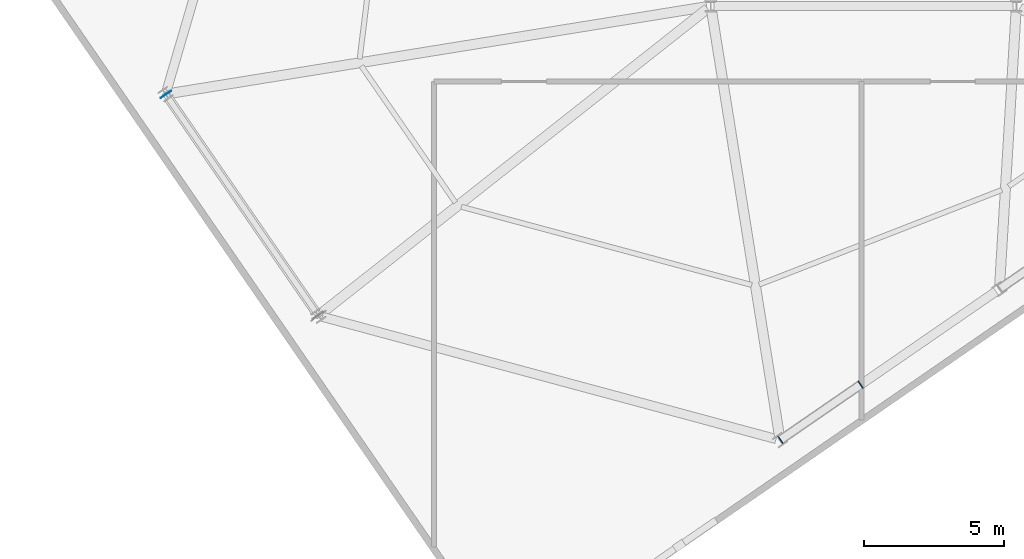
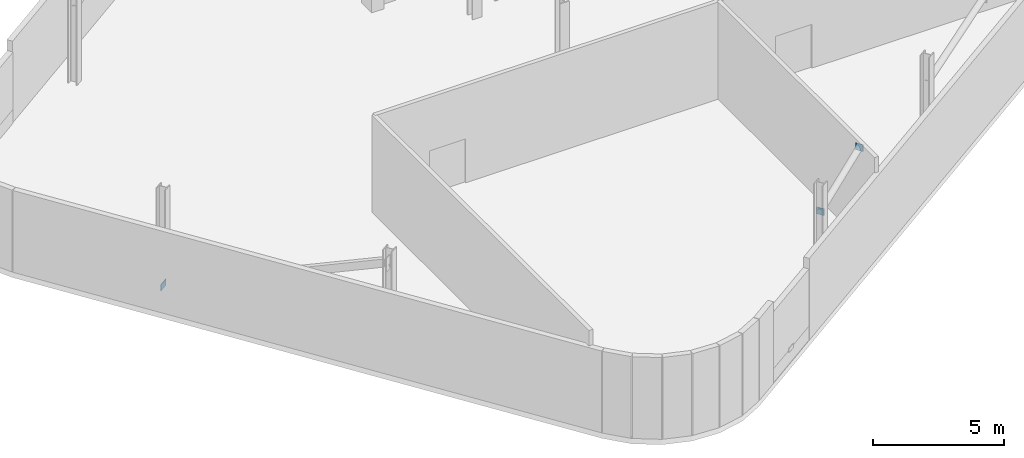
# One storey, part 4 of 10: 3 plates.
"""IFC4 building model written with IfcOpenShell, lengths in metres."""

from ifc_helpers import new_model, si_unit, direction, frame, origin, origin_2d, place, context, subcontext, project, spatial, rectangle, extrude, source, transform, mapped, material, layer, layer_set, type_object, element, save


model = new_model("IFC4")

# Units and contexts
model_context = context("Model", 3, precision=1e-05, world=origin(), true_north=direction((0.0, 1.0)))
body_context = subcontext(model_context, "Body", "Model", "MODEL_VIEW")
ifc_project = project(units=[si_unit("LENGTHUNIT", "METRE"), si_unit("AREAUNIT", "SQUARE_METRE"), si_unit("VOLUMEUNIT", "CUBIC_METRE"), si_unit("PLANEANGLEUNIT", "RADIAN"), si_unit("MASSUNIT", "GRAM", prefix="KILO")], contexts=[model_context])

# Site, building, storey
site_placement = place(None, origin())
site = spatial("IfcSite", under=ifc_project, at=site_placement, CompositionType="ELEMENT")
building_placement = place(site_placement, origin())
building = spatial("IfcBuilding", under=site, at=building_placement, Name="Varnelok Gate Tower", CompositionType="ELEMENT")
storey_placement = place(building_placement, frame((0.0, 0.0, 305.89990234375)))
storey = spatial("IfcBuildingStorey", under=building, at=storey_placement, Name="L78", CompositionType="ELEMENT", Elevation=305.89990234375)

# Plates
ifc_material = material(Name="Structural Steel ASTM A572 Grade 50", Category="steel")
ifc_layer = layer(ifc_material, 0.02490234375)
ifc_layer_set = layer_set([ifc_layer], Name="Structural Steel ASTM A572 Grade 50")
plate_type = type_object("IfcPlateType", Name="PLT-ENDCAP-25", PredefinedType="SHEET", material=ifc_layer_set)
shared_shape_1 = source(origin(), body_context, "Body", "SweptSolid", [
    extrude(rectangle(XDim=0.02490234375, YDim=0.43994140625, at=origin_2d()), origin(), (0.0, 0.0, 1.0), 0.2900390625),
])
plate_placement = place(storey_placement, frame((14.30859375, 16.395751953125, 0.060302734375), z_axis=(0.0, 0.0, 1.0), x_axis=(0.567268949127, -0.823532597628, 0.0)))
element("IfcPlate", 1, at=plate_placement, inside=storey, type_object=plate_type, Name="L78 hollow member sealed end plate 1", PredefinedType="SHEET", context=body_context, shape_type="MappedRepresentation", body=[
    mapped(shared_shape_1, transform((0.0, 0.0, 0.0), scale=1.0)),
])
shared_shape_2 = source(origin(), body_context, "Body", "SweptSolid", [
    extrude(rectangle(XDim=0.02490234375, YDim=0.320068359375, at=origin_2d()), origin(), (0.0, 0.0, 1.0), 0.320068359375),
])
for number, where, z_axis, x_axis, name in (
    (2, (36.232666015625, 4.0703125, 3.283203125), (0.0, 0.0, 1.0), (0.823542498214, 0.567254575685, 0.0), "L78 hollow member sealed end plate 1"),
    (3, (39.093017578125, 6.04052734375, 4.0771484375), (0.0, 0.0, 1.0), (0.823542498214, 0.567254575685, 0.0), "L78 hollow member sealed end plate 2"),
):
    element("IfcPlate", number, at=place(storey_placement, frame(where, z_axis=z_axis, x_axis=x_axis)), inside=storey, type_object=plate_type, Name=name, PredefinedType="SHEET", context=body_context, shape_type="MappedRepresentation", body=[
        mapped(shared_shape_2, transform((0.0, 0.0, 0.0), scale=1.0)),
    ])

save(model, "model.ifc")
